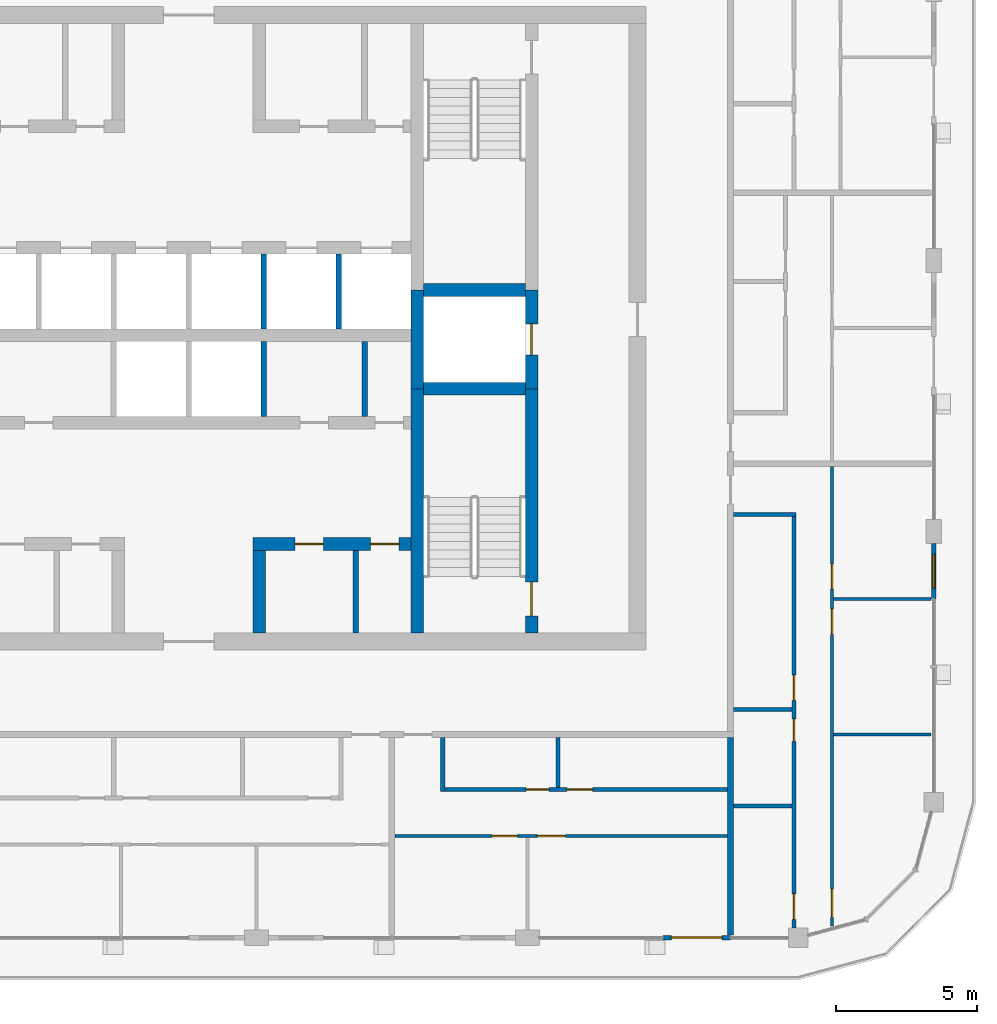
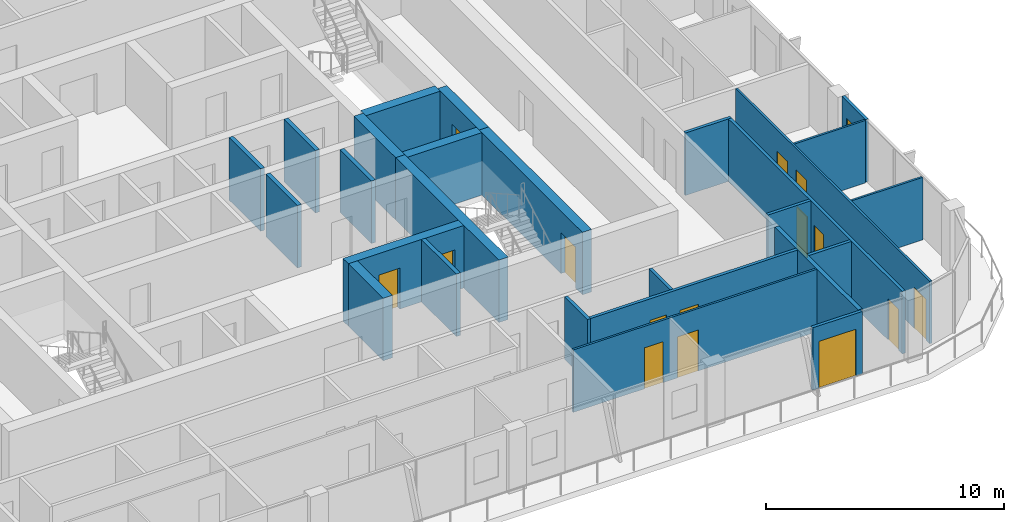
# One storey, part 12 of 22: 27 walls, 15 doors, 1 window, 16 openings.
"""IFC4 building model written with IfcOpenShell, lengths in metres."""

from ifc_helpers import new_model, si_unit, direction, frame, frame_2d, origin, place, context, subcontext, project, spatial, rectangle, extrude, material, layer, layer_set, type_object, element, fill, save


model = new_model("IFC4")

# Units and contexts
model_context = context("Model", 3, precision=1e-05, world=origin(), true_north=direction((0.0, 1.0)))
body_context = subcontext(model_context, "Body", "Model", "MODEL_VIEW")
ifc_project = project(units=[si_unit("LENGTHUNIT", "METRE"), si_unit("AREAUNIT", "SQUARE_METRE"), si_unit("VOLUMEUNIT", "CUBIC_METRE"), si_unit("PLANEANGLEUNIT", "RADIAN"), si_unit("MASSUNIT", "GRAM", prefix="KILO")], contexts=[model_context])

# Site, building, storey
site_placement = place(None, origin())
site = spatial("IfcSite", under=ifc_project, at=site_placement, CompositionType="ELEMENT")
building_placement = place(site_placement, origin())
building = spatial("IfcBuilding", under=site, at=building_placement, Name="Madar Terraces", CompositionType="ELEMENT")
storey_placement = place(building_placement, frame((0.0, 0.0, 249.199951171875)))
storey = spatial("IfcBuildingStorey", under=building, at=storey_placement, Name="L65", CompositionType="ELEMENT", Elevation=249.199951171875)

# Walls
ifc_material_1 = material(Name="Concrete C55/67", Category="concrete")
ifc_layer_1 = layer(ifc_material_1, 0.449951171875)
ifc_layer_set_1 = layer_set([ifc_layer_1], Name="Concrete C55/67 (CIW5 RC wall 450)")
wall_type_1 = type_object("IfcWallType", Name="CIW5 RC wall 450", PredefinedType="SHEAR", material=ifc_layer_set_1)
wall_1_placement = place(storey_placement, frame((39.300048828125, 15.60009765625, 0.0), z_axis=(0.0, 0.0, 1.0), x_axis=(0.0, 1.0, 0.0)))
element("IfcWall", 1, at=wall_1_placement, inside=storey, type_object=wall_type_1, Name="CORE SHAFT WALL", PredefinedType="SHEAR", context=body_context, shape_type="SweptSolid", body=[
    extrude(rectangle(XDim=8.64990234375, YDim=0.449951171875, at=frame_2d((4.324951171875, 0.0))), origin(), (0.0, 0.0, 1.0), 3.199951171875),
])
wall_2_placement = place(storey_placement, frame((39.300048828125, 24.25, 0.0), z_axis=(0.0, 0.0, 1.0), x_axis=(0.0, 1.0, 0.0)))
element("IfcWall", 2, at=wall_2_placement, inside=storey, type_object=wall_type_1, Name="CORE SHAFT WALL", PredefinedType="SHEAR", context=body_context, shape_type="SweptSolid", body=[
    extrude(rectangle(XDim=3.5, YDim=0.449951171875, at=frame_2d((1.75, 0.0))), origin(), (0.0, 0.0, 1.0), 3.199951171875),
])

# Wall, opening, door
wall_3_placement = place(storey_placement, frame((43.35009765625, 15.60009765625, 0.0), z_axis=(0.0, 0.0, 1.0), x_axis=(0.0, 1.0, 0.0)))
wall_3 = element("IfcWall", 3, at=wall_3_placement, inside=storey, type_object=wall_type_1, Name="CORE SHAFT WALL", PredefinedType="SHEAR", context=body_context, shape_type="SweptSolid", body=[
    extrude(rectangle(XDim=8.64990234375, YDim=0.449951171875, at=frame_2d((4.324951171875, 0.0))), origin(), (0.0, 0.0, 1.0), 3.199951171875),
])
opening_1_placement = place(wall_3_placement, frame((0.60009765625, 0.0, 0.0)))
opening_1 = element("IfcOpeningElement", 4, at=opening_1_placement, cuts=wall_3, Name="Opening SD1", PredefinedType="OPENING", context=body_context, shape_type="SweptSolid", body=[
    extrude(rectangle(XDim=1.199951171875, YDim=2.10009765625, at=frame_2d((0.60009765625, 1.050048828125))), frame((0.0, 0.23486328125, 0.0), z_axis=(0.0, -1.0, 0.0), x_axis=(1.0, 0.0, 0.0)), (0.0, 0.0, 1.0), 0.469970703125),
])
ifc_material_2 = material(Name="Steel door leaf", Category="steel")
door_type_1 = type_object("IfcDoorType", Name="Stair door 1200 x 2100", OperationType="NOTDEFINED", PredefinedType="DOOR", material=ifc_material_2)
door_1_placement = place(opening_1_placement, origin())
door_1 = element("IfcDoor", 5, at=door_1_placement, inside=storey, type_object=door_type_1, Name="STAIR DOOR", OperationType="SINGLE_SWING_RIGHT", OverallHeight=2.10009765625, OverallWidth=1.199951171875, PredefinedType="DOOR", context=body_context, shape_type="SweptSolid", body=[
    extrude(rectangle(XDim=1.199951171875, YDim=2.10009765625, at=frame_2d((0.60009765625, 1.050048828125))), frame((0.0, 0.02490234375, 0.0), z_axis=(0.0, -1.0, 0.0), x_axis=(1.0, 0.0, 0.0)), (0.0, 0.0, 1.0), 0.050048828125),
])
fill(opening_1, door_1)

wall_4_placement = place(storey_placement, frame((43.35009765625, 24.25, 0.0), z_axis=(0.0, 0.0, 1.0), x_axis=(0.0, 1.0, 0.0)))
wall_4 = element("IfcWall", 6, at=wall_4_placement, inside=storey, type_object=wall_type_1, Name="CORE SHAFT WALL", PredefinedType="SHEAR", context=body_context, shape_type="SweptSolid", body=[
    extrude(rectangle(XDim=3.5, YDim=0.449951171875, at=frame_2d((1.75, 0.0))), origin(), (0.0, 0.0, 1.0), 3.199951171875),
])
opening_2_placement = place(wall_4_placement, frame((1.199951171875, 0.0, 0.0)))
opening_2 = element("IfcOpeningElement", 7, at=opening_2_placement, cuts=wall_4, Name="Opening LD", PredefinedType="OPENING", context=body_context, shape_type="SweptSolid", body=[
    extrude(rectangle(XDim=1.10009765625, YDim=2.10009765625, at=frame_2d((0.550048828125, 1.050048828125))), frame((0.0, 0.23486328125, 0.0), z_axis=(0.0, -1.0, 0.0), x_axis=(1.0, 0.0, 0.0)), (0.0, 0.0, 1.0), 0.469970703125),
])
ifc_material_3 = material(Name="Stainless steel panel", Category="steel")
door_type_2 = type_object("IfcDoorType", Name="Lift landing door 1100 x 2100", OperationType="DOUBLE_DOOR_SLIDING", PredefinedType="DOOR", material=ifc_material_3)
door_2_placement = place(opening_2_placement, origin())
door_2 = element("IfcDoor", 8, at=door_2_placement, inside=storey, type_object=door_type_2, Name="LIFT LANDING DOOR", OperationType="DOUBLE_DOOR_SLIDING", OverallHeight=2.10009765625, OverallWidth=1.10009765625, PredefinedType="DOOR", context=body_context, shape_type="SweptSolid", body=[
    extrude(rectangle(XDim=1.10009765625, YDim=2.10009765625, at=frame_2d((0.550048828125, 1.050048828125))), frame((0.0, 0.02490234375, 0.0), z_axis=(0.0, -1.0, 0.0), x_axis=(1.0, 0.0, 0.0)), (0.0, 0.0, 1.0), 0.050048828125),
])
fill(opening_2, door_2)

# Walls
for number, where, z_axis, x_axis, name in (
    (9, (39.52490234375, 24.25, 0.0), (0.0, 0.0, 1.0), (1.0, 0.0, 0.0), "CORE SHAFT WALL"),
    (10, (39.52490234375, 27.75, 0.0), (0.0, 0.0, 1.0), (1.0, 0.0, 0.0), "CORE SHAFT WALL"),
):
    element("IfcWall", number, at=place(storey_placement, frame(where, z_axis=z_axis, x_axis=x_axis)), inside=storey, type_object=wall_type_1, Name=name, PredefinedType="SHEAR", context=body_context, shape_type="SweptSolid", body=[
        extrude(rectangle(XDim=3.60009765625, YDim=0.449951171875, at=frame_2d((1.800048828125, 0.0))), origin(), (0.0, 0.0, 1.0), 3.199951171875),
    ])

# Wall, openings, doors
wall_5_placement = place(storey_placement, frame((33.47509765625, 18.75, 0.0), z_axis=(0.0, 0.0, 1.0), x_axis=(1.0, 0.0, 0.0)))
wall_5 = element("IfcWall", 11, at=wall_5_placement, inside=storey, type_object=wall_type_1, Name="CORE SHAFT WALL", PredefinedType="SHEAR", context=body_context, shape_type="SweptSolid", body=[
    extrude(rectangle(XDim=5.599853515625, YDim=0.449951171875, at=frame_2d((2.7998046875, 0.0))), origin(), (0.0, 0.0, 1.0), 3.199951171875),
])
opening_3_placement = place(wall_5_placement, frame((1.49658203125, 0.0, 0.0)))
opening_3 = element("IfcOpeningElement", 12, at=opening_3_placement, cuts=wall_5, Name="Opening KD2", PredefinedType="OPENING", context=body_context, shape_type="SweptSolid", body=[
    extrude(rectangle(XDim=1.0, YDim=2.10009765625, at=frame_2d((0.5, 1.050048828125))), frame((0.0, 0.23486328125, 0.0), z_axis=(0.0, -1.0, 0.0), x_axis=(1.0, 0.0, 0.0)), (0.0, 0.0, 1.0), 0.469970703125),
])
opening_4_placement = place(wall_5_placement, frame((4.17138671875, 0.0, 0.0)))
opening_4 = element("IfcOpeningElement", 13, at=opening_4_placement, cuts=wall_5, Name="Opening KD2", PredefinedType="OPENING", context=body_context, shape_type="SweptSolid", body=[
    extrude(rectangle(XDim=1.0, YDim=2.10009765625, at=frame_2d((0.5, 1.050048828125))), frame((0.0, 0.23486328125, 0.0), z_axis=(0.0, -1.0, 0.0), x_axis=(1.0, 0.0, 0.0)), (0.0, 0.0, 1.0), 0.469970703125),
])
ifc_material_4 = material(Name="Steel door leaf", Category="steel")
door_type_3 = type_object("IfcDoorType", Name="Service room door 1000 x 2100", OperationType="NOTDEFINED", PredefinedType="DOOR", material=ifc_material_4)
door_3_placement = place(opening_3_placement, origin())
door_3 = element("IfcDoor", 14, at=door_3_placement, inside=storey, type_object=door_type_3, Name="SERVICE ROOM DOOR", OperationType="SINGLE_SWING_LEFT", OverallHeight=2.10009765625, OverallWidth=1.0, PredefinedType="DOOR", context=body_context, shape_type="SweptSolid", body=[
    extrude(rectangle(XDim=1.0, YDim=2.10009765625, at=frame_2d((0.5, 1.050048828125))), frame((0.0, 0.02490234375, 0.0), z_axis=(0.0, -1.0, 0.0), x_axis=(1.0, 0.0, 0.0)), (0.0, 0.0, 1.0), 0.050048828125),
])
fill(opening_3, door_3)
door_4_placement = place(opening_4_placement, origin())
door_4 = element("IfcDoor", 15, at=door_4_placement, inside=storey, type_object=door_type_3, Name="SERVICE ROOM DOOR", OperationType="SINGLE_SWING_RIGHT", OverallHeight=2.10009765625, OverallWidth=1.0, PredefinedType="DOOR", context=body_context, shape_type="SweptSolid", body=[
    extrude(rectangle(XDim=1.0, YDim=2.10009765625, at=frame_2d((0.5, 1.050048828125))), frame((0.0, 0.02490234375, 0.0), z_axis=(0.0, -1.0, 0.0), x_axis=(1.0, 0.0, 0.0)), (0.0, 0.0, 1.0), 0.050048828125),
])
fill(opening_4, door_4)

# Walls
wall_6_placement = place(storey_placement, frame((33.699951171875, 15.60009765625, 0.0), z_axis=(0.0, 0.0, 1.0), x_axis=(0.0, 1.0, 0.0)))
element("IfcWall", 16, at=wall_6_placement, inside=storey, type_object=wall_type_1, Name="CORE SHAFT WALL", PredefinedType="SHEAR", context=body_context, shape_type="SweptSolid", body=[
    extrude(rectangle(XDim=2.9248046875, YDim=0.449951171875, at=frame_2d((1.46240234375, 0.0))), origin(), (0.0, 0.0, 1.0), 3.199951171875),
])
ifc_material_5 = material(Name="Masonry blockwork", Category="masonry")
ifc_layer_2 = layer(ifc_material_5, 0.199951171875)
ifc_layer_set_2 = layer_set([ifc_layer_2], Name="Core partition 200 blockwork")
wall_type_2 = type_object("IfcWallType", Name="Core partition 200 blockwork", PredefinedType="PARTITIONING", material=ifc_layer_set_2)
wall_7_placement = place(storey_placement, frame((37.437744140625, 23.27490234375, 0.0), z_axis=(0.0, 0.0, 1.0), x_axis=(0.0, 1.0, 0.0)))
element("IfcWall", 17, at=wall_7_placement, inside=storey, type_object=wall_type_2, Name="SERVICE ROOM PARTITION", PredefinedType="PARTITIONING", context=body_context, shape_type="SweptSolid", body=[
    extrude(rectangle(XDim=2.650146484375, YDim=0.199951171875, at=frame_2d((1.3251953125, 0.0))), origin(), (0.0, 0.0, 1.0), 3.199951171875),
])
wall_8_placement = place(storey_placement, frame((37.117919921875, 15.60009765625, 0.0), z_axis=(0.0, 0.0, 1.0), x_axis=(0.0, 1.0, 0.0)))
element("IfcWall", 18, at=wall_8_placement, inside=storey, type_object=wall_type_2, Name="SERVICE ROOM PARTITION", PredefinedType="PARTITIONING", context=body_context, shape_type="SweptSolid", body=[
    extrude(rectangle(XDim=2.9248046875, YDim=0.199951171875, at=frame_2d((1.46240234375, 0.0))), origin(), (0.0, 0.0, 1.0), 3.199951171875),
])
ifc_material_6 = material(Name="Concrete C40/50", Category="concrete")
ifc_layer_3 = layer(ifc_material_6, 0.199951171875)
ifc_layer_set_3 = layer_set([ifc_layer_3], Name="Core shaft dividing wall 200 C40/50")
wall_type_3 = type_object("IfcWallType", Name="Core shaft dividing wall 200 C40/50", PredefinedType="SOLIDWALL", material=ifc_layer_set_3)
wall_9_placement = place(storey_placement, frame((33.8583984375, 23.27490234375, 0.0), z_axis=(0.0, 0.0, 1.0), x_axis=(0.0, 1.0, 0.0)))
element("IfcWall", 19, at=wall_9_placement, inside=storey, type_object=wall_type_3, Name="SHAFT DIVIDING WALL", PredefinedType="SOLIDWALL", context=body_context, shape_type="SweptSolid", body=[
    extrude(rectangle(XDim=2.650146484375, YDim=0.199951171875, at=frame_2d((1.3251953125, 0.0))), origin(), (0.0, 0.0, 1.0), 3.199951171875),
])
for number, where, z_axis, x_axis, name in (
    (20, (33.8583984375, 26.375, 0.0), (0.0, 0.0, 1.0), (0.0, 1.0, 0.0), "SHAFT DIVIDING WALL"),
    (21, (36.5166015625, 26.375, 0.0), (0.0, 0.0, 1.0), (0.0, 1.0, 0.0), "SHAFT DIVIDING WALL"),
):
    element("IfcWall", number, at=place(storey_placement, frame(where, z_axis=z_axis, x_axis=x_axis)), inside=storey, type_object=wall_type_3, Name=name, PredefinedType="SOLIDWALL", context=body_context, shape_type="SweptSolid", body=[
        extrude(rectangle(XDim=2.64990234375, YDim=0.199951171875, at=frame_2d((1.324951171875, 0.0))), origin(), (0.0, 0.0, 1.0), 3.199951171875),
    ])

# Wall, opening, door
ifc_material_7 = material(Name="Aluminium composite panel, black, over insulated backing", Category="aluminium")
ifc_layer_4 = layer(ifc_material_7, 0.14990234375)
ifc_layer_set_4 = layer_set([ifc_layer_4], Name="Facade bay panel 150")
wall_type_4 = type_object("IfcWallType", Name="Facade bay panel 150", PredefinedType="SOLIDWALL", material=ifc_layer_set_4)
wall_10_placement = place(storey_placement, frame((48.0, 4.800048828125, 0.0), z_axis=(0.0, 0.0, 1.0), x_axis=(1.0, 0.0, 0.0)))
wall_10 = element("IfcWall", 22, at=wall_10_placement, inside=storey, type_object=wall_type_4, Name="Facade bay panel", PredefinedType="SOLIDWALL", context=body_context, shape_type="SweptSolid", body=[
    extrude(rectangle(XDim=2.39990234375, YDim=0.14990234375, at=frame_2d((1.199951171875, 0.0))), origin(), (0.0, 0.0, 1.0), 3.199951171875),
])
opening_5_placement = place(wall_10_placement, frame((0.300048828125, 0.0, 0.0)))
opening_5 = element("IfcOpeningElement", 23, at=opening_5_placement, cuts=wall_10, Name="Opening ED1", PredefinedType="OPENING", context=body_context, shape_type="SweptSolid", body=[
    extrude(rectangle(XDim=1.800048828125, YDim=2.39990234375, at=frame_2d((0.89990234375, 1.199951171875))), frame((0.0, 0.0849609375, 0.0), z_axis=(0.0, -1.0, 0.0), x_axis=(1.0, 0.0, 0.0)), (0.0, 0.0, 1.0), 0.169921875),
])
ifc_material_8 = material(Name="Glass, clear, with black aluminium frame", Category="aluminium")
door_type_4 = type_object("IfcDoorType", Name="Balcony and terrace sliding door 1800 x 2400", OperationType="SLIDING_TO_LEFT", PredefinedType="DOOR", material=ifc_material_8)
door_5_placement = place(opening_5_placement, origin())
door_5 = element("IfcDoor", 24, at=door_5_placement, inside=storey, type_object=door_type_4, Name="Balcony door", OperationType="SLIDING_TO_RIGHT", OverallHeight=2.39990234375, OverallWidth=1.800048828125, PredefinedType="DOOR", context=body_context, shape_type="SweptSolid", body=[
    extrude(rectangle(XDim=1.800048828125, YDim=2.39990234375, at=frame_2d((0.89990234375, 1.199951171875))), frame((0.0, 0.02490234375, 0.0), z_axis=(0.0, -1.0, 0.0), x_axis=(1.0, 0.0, 0.0)), (0.0, 0.0, 1.0), 0.050048828125),
])
fill(opening_5, door_5)

# Wall, opening, window
wall_11_placement = place(storey_placement, frame((57.60009765625, 16.800048828125, 0.0), z_axis=(0.0, 0.0, 1.0), x_axis=(0.0, 1.0, 0.0)))
wall_11 = element("IfcWall", 25, at=wall_11_placement, inside=storey, type_object=wall_type_4, Name="Facade bay panel", PredefinedType="SOLIDWALL", context=body_context, shape_type="SweptSolid", body=[
    extrude(rectangle(XDim=1.974853515625, YDim=0.14990234375, at=frame_2d((0.9873046875, 0.0))), origin(), (0.0, 0.0, 1.0), 3.199951171875),
])
opening_6_placement = place(wall_11_placement, frame((0.387451171875, 0.0, 0.89990234375)))
opening_6 = element("IfcOpeningElement", 26, at=opening_6_placement, cuts=wall_11, Name="Opening W1", PredefinedType="OPENING", context=body_context, shape_type="SweptSolid", body=[
    extrude(rectangle(XDim=1.199951171875, YDim=1.39990234375, at=frame_2d((0.60009765625, 0.699951171875))), frame((0.0, 0.0849609375, 0.0), z_axis=(0.0, -1.0, 0.0), x_axis=(1.0, 0.0, 0.0)), (0.0, 0.0, 1.0), 0.169921875),
])
ifc_material_9 = material(Name="Glass, clear, with black aluminium frame", Category="aluminium")
window_type = type_object("IfcWindowType", Name="Vent window 1200 x 1400", PartitioningType="SINGLE_PANEL", PredefinedType="WINDOW", material=ifc_material_9)
window_placement = place(opening_6_placement, origin())
window = element("IfcWindow", 27, at=window_placement, inside=storey, type_object=window_type, Name="Operable vent window", OverallHeight=1.39990234375, OverallWidth=1.199951171875, PartitioningType="SINGLE_PANEL", PredefinedType="WINDOW", context=body_context, shape_type="SweptSolid", body=[
    extrude(rectangle(XDim=1.199951171875, YDim=1.39990234375, at=frame_2d((0.60009765625, 0.699951171875))), frame((0.0, 0.030029296875, 0.0), z_axis=(0.0, -1.0, 0.0), x_axis=(1.0, 0.0, 0.0)), (0.0, 0.0, 1.0), 0.06005859375),
])
fill(opening_6, window)

# Wall, openings, doors
ifc_material_10 = material(Name="Gypsum board on steel studs", Category="steel")
ifc_layer_5 = layer(ifc_material_10, 0.10009765625)
ifc_layer_set_5 = layer_set([ifc_layer_5], Name="Flat partition 100")
wall_type_5 = type_object("IfcWallType", Name="Flat partition 100", PredefinedType="PARTITIONING", material=ifc_layer_set_5)
wall_12_placement = place(storey_placement, frame((50.300048828125, 8.39990234375, 0.0), z_axis=(0.0, 0.0, 1.0), x_axis=(-1.0, 0.0, 0.0)))
wall_12 = element("IfcWall", 28, at=wall_12_placement, inside=storey, type_object=wall_type_5, Name="Flat partition 100", PredefinedType="PARTITIONING", context=body_context, shape_type="SweptSolid", body=[
    extrude(rectangle(XDim=11.800048828125, YDim=0.10009765625, at=frame_2d((5.89990234375, 0.0))), origin(), (0.0, 0.0, 1.0), 3.199951171875),
])
opening_7_placement = place(wall_12_placement, frame((7.449951171875, 0.0, 0.0)))
opening_7 = element("IfcOpeningElement", 29, at=opening_7_placement, cuts=wall_12, Name="Opening D2", PredefinedType="OPENING", context=body_context, shape_type="SweptSolid", body=[
    extrude(rectangle(XDim=0.89990234375, YDim=2.10009765625, at=frame_2d((0.449951171875, 1.050048828125))), frame((0.0, 0.06005859375, 0.0), z_axis=(0.0, -1.0, 0.0), x_axis=(1.0, 0.0, 0.0)), (0.0, 0.0, 1.0), 0.1201171875),
])
opening_8_placement = place(wall_12_placement, frame((5.75, 0.0, 0.0)))
opening_8 = element("IfcOpeningElement", 30, at=opening_8_placement, cuts=wall_12, Name="Opening D3", PredefinedType="OPENING", context=body_context, shape_type="SweptSolid", body=[
    extrude(rectangle(XDim=1.0, YDim=2.10009765625, at=frame_2d((0.5, 1.050048828125))), frame((0.0, 0.06005859375, 0.0), z_axis=(0.0, -1.0, 0.0), x_axis=(1.0, 0.0, 0.0)), (0.0, 0.0, 1.0), 0.1201171875),
])
ifc_material_11 = material(Name="Timber door leaf", Category="wood")
door_type_5 = type_object("IfcDoorType", Name="Flat living room door 1000", OperationType="NOTDEFINED", PredefinedType="DOOR", material=ifc_material_11)
door_6_placement = place(opening_8_placement, origin())
door_6 = element("IfcDoor", 31, at=door_6_placement, inside=storey, type_object=door_type_5, Name="Flat living room door 1000", OperationType="SINGLE_SWING_RIGHT", OverallHeight=2.10009765625, OverallWidth=1.0, PredefinedType="DOOR", context=body_context, shape_type="SweptSolid", body=[
    extrude(rectangle(XDim=1.0, YDim=2.10009765625, at=frame_2d((0.5, 1.050048828125))), frame((0.0, 0.02490234375, 0.0), z_axis=(0.0, -1.0, 0.0), x_axis=(1.0, 0.0, 0.0)), (0.0, 0.0, 1.0), 0.050048828125),
])
fill(opening_8, door_6)
ifc_material_12 = material(Name="Timber door leaf", Category="wood")
door_type_6 = type_object("IfcDoorType", Name="Flat room door 900", OperationType="NOTDEFINED", PredefinedType="DOOR", material=ifc_material_12)
door_7_placement = place(opening_7_placement, origin())
door_7 = element("IfcDoor", 32, at=door_7_placement, inside=storey, type_object=door_type_6, Name="Flat room door 900", OperationType="SINGLE_SWING_LEFT", OverallHeight=2.10009765625, OverallWidth=0.89990234375, PredefinedType="DOOR", context=body_context, shape_type="SweptSolid", body=[
    extrude(rectangle(XDim=0.89990234375, YDim=2.10009765625, at=frame_2d((0.449951171875, 1.050048828125))), frame((0.0, 0.02490234375, 0.0), z_axis=(0.0, -1.0, 0.0), x_axis=(1.0, 0.0, 0.0)), (0.0, 0.0, 1.0), 0.050048828125),
])
fill(opening_7, door_7)

# Walls
for number, where, z_axis, x_axis, name in (
    (33, (54.050048828125, 16.800048828125, 0.0), (0.0, 0.0, 1.0), (1.0, 0.0, 0.0), "Flat partition 100"),
    (34, (54.050048828125, 12.0, 0.0), (0.0, 0.0, 1.0), (1.0, 0.0, 0.0), "Flat partition 100"),
):
    element("IfcWall", number, at=place(storey_placement, frame(where, z_axis=z_axis, x_axis=x_axis)), inside=storey, type_object=wall_type_5, Name=name, PredefinedType="PARTITIONING", context=body_context, shape_type="SweptSolid", body=[
        extrude(rectangle(XDim=3.449951171875, YDim=0.10009765625, at=frame_2d((1.72509765625, 0.0))), origin(), (0.0, 0.0, 1.0), 3.199951171875),
    ])

# Wall, openings, doors
wall_13_placement = place(storey_placement, frame((54.0, 21.5, 0.0), z_axis=(0.0, 0.0, 1.0), x_axis=(0.0, -1.0, 0.0)))
wall_13 = element("IfcWall", 35, at=wall_13_placement, inside=storey, type_object=wall_type_5, Name="Flat partition 100", PredefinedType="PARTITIONING", context=body_context, shape_type="SweptSolid", body=[
    extrude(rectangle(XDim=16.278564453125, YDim=0.10009765625, at=frame_2d((8.13916015625, 0.0))), origin(), (0.0, 0.0, 1.0), 3.199951171875),
])
opening_9_placement = place(wall_13_placement, frame((3.449951171875, 0.0, 0.0)))
opening_9 = element("IfcOpeningElement", 36, at=opening_9_placement, cuts=wall_13, Name="Opening D2", PredefinedType="OPENING", context=body_context, shape_type="SweptSolid", body=[
    extrude(rectangle(XDim=0.89990234375, YDim=2.10009765625, at=frame_2d((0.449951171875, 1.050048828125))), frame((0.0, 0.06005859375, 0.0), z_axis=(0.0, -1.0, 0.0), x_axis=(1.0, 0.0, 0.0)), (0.0, 0.0, 1.0), 0.1201171875),
])
opening_10_placement = place(wall_13_placement, frame((5.050048828125, 0.0, 0.0)))
opening_10 = element("IfcOpeningElement", 37, at=opening_10_placement, cuts=wall_13, Name="Opening D2", PredefinedType="OPENING", context=body_context, shape_type="SweptSolid", body=[
    extrude(rectangle(XDim=0.89990234375, YDim=2.10009765625, at=frame_2d((0.449951171875, 1.050048828125))), frame((0.0, 0.06005859375, 0.0), z_axis=(0.0, -1.0, 0.0), x_axis=(1.0, 0.0, 0.0)), (0.0, 0.0, 1.0), 0.1201171875),
])
opening_11_placement = place(wall_13_placement, frame((14.978515625, 0.0, 0.0)))
opening_11 = element("IfcOpeningElement", 38, at=opening_11_placement, cuts=wall_13, Name="Opening D3", PredefinedType="OPENING", context=body_context, shape_type="SweptSolid", body=[
    extrude(rectangle(XDim=1.0, YDim=2.10009765625, at=frame_2d((0.5, 1.050048828125))), frame((0.0, 0.06005859375, 0.0), z_axis=(0.0, -1.0, 0.0), x_axis=(1.0, 0.0, 0.0)), (0.0, 0.0, 1.0), 0.1201171875),
])
door_8_placement = place(opening_11_placement, origin())
door_8 = element("IfcDoor", 39, at=door_8_placement, inside=storey, type_object=door_type_5, Name="Flat living room door 1000", OperationType="SINGLE_SWING_RIGHT", OverallHeight=2.10009765625, OverallWidth=1.0, PredefinedType="DOOR", context=body_context, shape_type="SweptSolid", body=[
    extrude(rectangle(XDim=1.0, YDim=2.10009765625, at=frame_2d((0.5, 1.050048828125))), frame((0.0, 0.02490234375, 0.0), z_axis=(0.0, -1.0, 0.0), x_axis=(1.0, 0.0, 0.0)), (0.0, 0.0, 1.0), 0.050048828125),
])
fill(opening_11, door_8)
door_9_placement = place(opening_9_placement, origin())
door_9 = element("IfcDoor", 40, at=door_9_placement, inside=storey, type_object=door_type_6, Name="Flat room door 900", OperationType="SINGLE_SWING_RIGHT", OverallHeight=2.10009765625, OverallWidth=0.89990234375, PredefinedType="DOOR", context=body_context, shape_type="SweptSolid", body=[
    extrude(rectangle(XDim=0.89990234375, YDim=2.10009765625, at=frame_2d((0.449951171875, 1.050048828125))), frame((0.0, 0.02490234375, 0.0), z_axis=(0.0, -1.0, 0.0), x_axis=(1.0, 0.0, 0.0)), (0.0, 0.0, 1.0), 0.050048828125),
])
fill(opening_9, door_9)
door_10_placement = place(opening_10_placement, origin())
door_10 = element("IfcDoor", 41, at=door_10_placement, inside=storey, type_object=door_type_6, Name="Flat room door 900", OperationType="SINGLE_SWING_LEFT", OverallHeight=2.10009765625, OverallWidth=0.89990234375, PredefinedType="DOOR", context=body_context, shape_type="SweptSolid", body=[
    extrude(rectangle(XDim=0.89990234375, YDim=2.10009765625, at=frame_2d((0.449951171875, 1.050048828125))), frame((0.0, 0.02490234375, 0.0), z_axis=(0.0, -1.0, 0.0), x_axis=(1.0, 0.0, 0.0)), (0.0, 0.0, 1.0), 0.050048828125),
])
fill(opening_10, door_10)

# Walls
ifc_material_13 = material(Name="Lightweight blockwork", Category="masonry")
ifc_layer_6 = layer(ifc_material_13, 0.199951171875)
ifc_layer_set_6 = layer_set([ifc_layer_6], Name="Flat party and entrance wall 200")
wall_type_6 = type_object("IfcWallType", Name="Flat party and entrance wall 200", PredefinedType="PARTITIONING", material=ifc_layer_set_6)
wall_14_placement = place(storey_placement, frame((50.39990234375, 11.89990234375, 0.0), z_axis=(0.0, 0.0, 1.0), x_axis=(0.0, -1.0, 0.0)))
element("IfcWall", 42, at=wall_14_placement, inside=storey, type_object=wall_type_6, Name="Flat party and entrance wall 200", PredefinedType="PARTITIONING", context=body_context, shape_type="SweptSolid", body=[
    extrude(rectangle(XDim=7.0, YDim=0.199951171875, at=frame_2d((3.5, 0.0))), origin(), (0.0, 0.0, 1.0), 3.199951171875),
])
ifc_material_14 = material(Name="Lightweight blockwork", Category="masonry")
ifc_layer_7 = layer(ifc_material_14, 0.14990234375)
ifc_layer_set_7 = layer_set([ifc_layer_7], Name="Flat wet-room partition 150")
wall_type_7 = type_object("IfcWallType", Name="Flat wet-room partition 150", PredefinedType="PARTITIONING", material=ifc_layer_set_7)
wall_15_placement = place(storey_placement, frame((44.284912109375, 11.89990234375, 0.0), z_axis=(0.0, 0.0, 1.0), x_axis=(0.0, -1.0, 0.0)))
element("IfcWall", 43, at=wall_15_placement, inside=storey, type_object=wall_type_7, Name="Flat wet-room partition 150", PredefinedType="PARTITIONING", context=body_context, shape_type="SweptSolid", body=[
    extrude(rectangle(XDim=1.77490234375, YDim=0.14990234375, at=frame_2d((0.887451171875, 0.0))), origin(), (0.0, 0.0, 1.0), 3.199951171875),
])
wall_16_placement = place(storey_placement, frame((40.199951171875, 11.89990234375, 0.0), z_axis=(0.0, 0.0, 1.0), x_axis=(0.0, -1.0, 0.0)))
element("IfcWall", 44, at=wall_16_placement, inside=storey, type_object=wall_type_7, Name="Flat wet-room partition 150", PredefinedType="PARTITIONING", context=body_context, shape_type="SweptSolid", body=[
    extrude(rectangle(XDim=1.9248046875, YDim=0.14990234375, at=frame_2d((0.96240234375, 0.0))), origin(), (0.0, 0.0, 1.0), 3.199951171875),
])

# Wall, openings, doors
wall_17_placement = place(storey_placement, frame((40.27490234375, 10.050048828125, 0.0), z_axis=(0.0, 0.0, 1.0), x_axis=(1.0, 0.0, 0.0)))
wall_17 = element("IfcWall", 45, at=wall_17_placement, inside=storey, type_object=wall_type_7, Name="Flat wet-room partition 150", PredefinedType="PARTITIONING", context=body_context, shape_type="SweptSolid", body=[
    extrude(rectangle(XDim=10.025146484375, YDim=0.14990234375, at=frame_2d((5.0126953125, 0.0))), origin(), (0.0, 0.0, 1.0), 3.199951171875),
])
opening_12_placement = place(wall_17_placement, frame((2.885009765625, 0.0, 0.0)))
opening_12 = element("IfcOpeningElement", 46, at=opening_12_placement, cuts=wall_17, Name="Opening D4", PredefinedType="OPENING", context=body_context, shape_type="SweptSolid", body=[
    extrude(rectangle(XDim=0.800048828125, YDim=2.10009765625, at=frame_2d((0.39990234375, 1.050048828125))), frame((0.0, 0.0849609375, 0.0), z_axis=(0.0, -1.0, 0.0), x_axis=(1.0, 0.0, 0.0)), (0.0, 0.0, 1.0), 0.169921875),
])
opening_13_placement = place(wall_17_placement, frame((4.3349609375, 0.0, 0.0)))
opening_13 = element("IfcOpeningElement", 47, at=opening_13_placement, cuts=wall_17, Name="Opening D2", PredefinedType="OPENING", context=body_context, shape_type="SweptSolid", body=[
    extrude(rectangle(XDim=0.89990234375, YDim=2.10009765625, at=frame_2d((0.449951171875, 1.050048828125))), frame((0.0, 0.0849609375, 0.0), z_axis=(0.0, -1.0, 0.0), x_axis=(1.0, 0.0, 0.0)), (0.0, 0.0, 1.0), 0.169921875),
])
ifc_material_15 = material(Name="Timber door leaf", Category="wood")
door_type_7 = type_object("IfcDoorType", Name="Flat bathroom door 800", OperationType="NOTDEFINED", PredefinedType="DOOR", material=ifc_material_15)
door_11_placement = place(opening_12_placement, origin())
door_11 = element("IfcDoor", 48, at=door_11_placement, inside=storey, type_object=door_type_7, Name="Flat bathroom door 800", OperationType="SINGLE_SWING_RIGHT", OverallHeight=2.10009765625, OverallWidth=0.800048828125, PredefinedType="DOOR", context=body_context, shape_type="SweptSolid", body=[
    extrude(rectangle(XDim=0.800048828125, YDim=2.10009765625, at=frame_2d((0.39990234375, 1.050048828125))), frame((0.0, 0.02490234375, 0.0), z_axis=(0.0, -1.0, 0.0), x_axis=(1.0, 0.0, 0.0)), (0.0, 0.0, 1.0), 0.050048828125),
])
fill(opening_12, door_11)
door_12_placement = place(opening_13_placement, origin())
door_12 = element("IfcDoor", 49, at=door_12_placement, inside=storey, type_object=door_type_6, Name="Flat room door 900", OperationType="SINGLE_SWING_LEFT", OverallHeight=2.10009765625, OverallWidth=0.89990234375, PredefinedType="DOOR", context=body_context, shape_type="SweptSolid", body=[
    extrude(rectangle(XDim=0.89990234375, YDim=2.10009765625, at=frame_2d((0.449951171875, 1.050048828125))), frame((0.0, 0.02490234375, 0.0), z_axis=(0.0, -1.0, 0.0), x_axis=(1.0, 0.0, 0.0)), (0.0, 0.0, 1.0), 0.050048828125),
])
fill(opening_13, door_12)

# Walls
for number, where, z_axis, x_axis, name in (
    (50, (50.5, 12.8828125, 0.0), (0.0, 0.0, 1.0), (1.0, 0.0, 0.0), "Flat wet-room partition 150"),
    (51, (50.5, 9.46142578125, 0.0), (0.0, 0.0, 1.0), (1.0, 0.0, 0.0), "Flat wet-room partition 150"),
):
    element("IfcWall", number, at=place(storey_placement, frame(where, z_axis=z_axis, x_axis=x_axis)), inside=storey, type_object=wall_type_7, Name=name, PredefinedType="PARTITIONING", context=body_context, shape_type="SweptSolid", body=[
        extrude(rectangle(XDim=2.074951171875, YDim=0.14990234375, at=frame_2d((1.03759765625, 0.0))), origin(), (0.0, 0.0, 1.0), 3.199951171875),
    ])
wall_18_placement = place(storey_placement, frame((50.5, 19.800048828125, 0.0), z_axis=(0.0, 0.0, 1.0), x_axis=(1.0, 0.0, 0.0)))
element("IfcWall", 52, at=wall_18_placement, inside=storey, type_object=wall_type_7, Name="Flat wet-room partition 150", PredefinedType="PARTITIONING", context=body_context, shape_type="SweptSolid", body=[
    extrude(rectangle(XDim=2.22509765625, YDim=0.14990234375, at=frame_2d((1.112548828125, 0.0))), origin(), (0.0, 0.0, 1.0), 3.199951171875),
])

# Wall, openings, doors
wall_19_placement = place(storey_placement, frame((52.64990234375, 5.14990234375, 0.0), z_axis=(0.0, 0.0, 1.0), x_axis=(0.0, 1.0, 0.0)))
wall_19 = element("IfcWall", 53, at=wall_19_placement, inside=storey, type_object=wall_type_7, Name="Flat wet-room partition 150", PredefinedType="PARTITIONING", context=body_context, shape_type="SweptSolid", body=[
    extrude(rectangle(XDim=14.5751953125, YDim=0.14990234375, at=frame_2d((7.28759765625, 0.0))), origin(), (0.0, 0.0, 1.0), 3.199951171875),
])
opening_14_placement = place(wall_19_placement, frame((8.0576171875, 0.0, 0.0)))
opening_14 = element("IfcOpeningElement", 54, at=opening_14_placement, cuts=wall_19, Name="Opening D2", PredefinedType="OPENING", context=body_context, shape_type="SweptSolid", body=[
    extrude(rectangle(XDim=0.89990234375, YDim=2.10009765625, at=frame_2d((0.449951171875, 1.050048828125))), frame((0.0, 0.0849609375, 0.0), z_axis=(0.0, -1.0, 0.0), x_axis=(1.0, 0.0, 0.0)), (0.0, 0.0, 1.0), 0.169921875),
])
opening_15_placement = place(wall_19_placement, frame((6.607666015625, 0.0, 0.0)))
opening_15 = element("IfcOpeningElement", 55, at=opening_15_placement, cuts=wall_19, Name="Opening D4", PredefinedType="OPENING", context=body_context, shape_type="SweptSolid", body=[
    extrude(rectangle(XDim=0.800048828125, YDim=2.10009765625, at=frame_2d((0.39990234375, 1.050048828125))), frame((0.0, 0.0849609375, 0.0), z_axis=(0.0, -1.0, 0.0), x_axis=(1.0, 0.0, 0.0)), (0.0, 0.0, 1.0), 0.169921875),
])
opening_16_placement = place(wall_19_placement, frame((0.300048828125, 0.0, 0.0)))
opening_16 = element("IfcOpeningElement", 56, at=opening_16_placement, cuts=wall_19, Name="Opening D5", PredefinedType="OPENING", context=body_context, shape_type="SweptSolid", body=[
    extrude(rectangle(XDim=0.89990234375, YDim=2.10009765625, at=frame_2d((0.449951171875, 1.050048828125))), frame((0.0, 0.0849609375, 0.0), z_axis=(0.0, -1.0, 0.0), x_axis=(1.0, 0.0, 0.0)), (0.0, 0.0, 1.0), 0.169921875),
])
ifc_material_16 = material(Name="Timber door leaf", Category="wood")
door_type_8 = type_object("IfcDoorType", Name="Flat accessible bathroom door 900", OperationType="NOTDEFINED", PredefinedType="DOOR", material=ifc_material_16)
door_13_placement = place(opening_16_placement, origin())
door_13 = element("IfcDoor", 57, at=door_13_placement, inside=storey, type_object=door_type_8, Name="Flat accessible bathroom door 900", OperationType="SINGLE_SWING_LEFT", OverallHeight=2.10009765625, OverallWidth=0.89990234375, PredefinedType="DOOR", context=body_context, shape_type="SweptSolid", body=[
    extrude(rectangle(XDim=0.89990234375, YDim=2.10009765625, at=frame_2d((0.449951171875, 1.050048828125))), frame((0.0, 0.02490234375, 0.0), z_axis=(0.0, -1.0, 0.0), x_axis=(1.0, 0.0, 0.0)), (0.0, 0.0, 1.0), 0.050048828125),
])
fill(opening_16, door_13)
door_14_placement = place(opening_15_placement, origin())
door_14 = element("IfcDoor", 58, at=door_14_placement, inside=storey, type_object=door_type_7, Name="Flat bathroom door 800", OperationType="SINGLE_SWING_RIGHT", OverallHeight=2.10009765625, OverallWidth=0.800048828125, PredefinedType="DOOR", context=body_context, shape_type="SweptSolid", body=[
    extrude(rectangle(XDim=0.800048828125, YDim=2.10009765625, at=frame_2d((0.39990234375, 1.050048828125))), frame((0.0, 0.02490234375, 0.0), z_axis=(0.0, -1.0, 0.0), x_axis=(1.0, 0.0, 0.0)), (0.0, 0.0, 1.0), 0.050048828125),
])
fill(opening_15, door_14)
door_15_placement = place(opening_14_placement, origin())
door_15 = element("IfcDoor", 59, at=door_15_placement, inside=storey, type_object=door_type_6, Name="Flat room door 900", OperationType="SINGLE_SWING_LEFT", OverallHeight=2.10009765625, OverallWidth=0.89990234375, PredefinedType="DOOR", context=body_context, shape_type="SweptSolid", body=[
    extrude(rectangle(XDim=0.89990234375, YDim=2.10009765625, at=frame_2d((0.449951171875, 1.050048828125))), frame((0.0, 0.02490234375, 0.0), z_axis=(0.0, -1.0, 0.0), x_axis=(1.0, 0.0, 0.0)), (0.0, 0.0, 1.0), 0.050048828125),
])
fill(opening_14, door_15)

save(model, "model.ifc")
